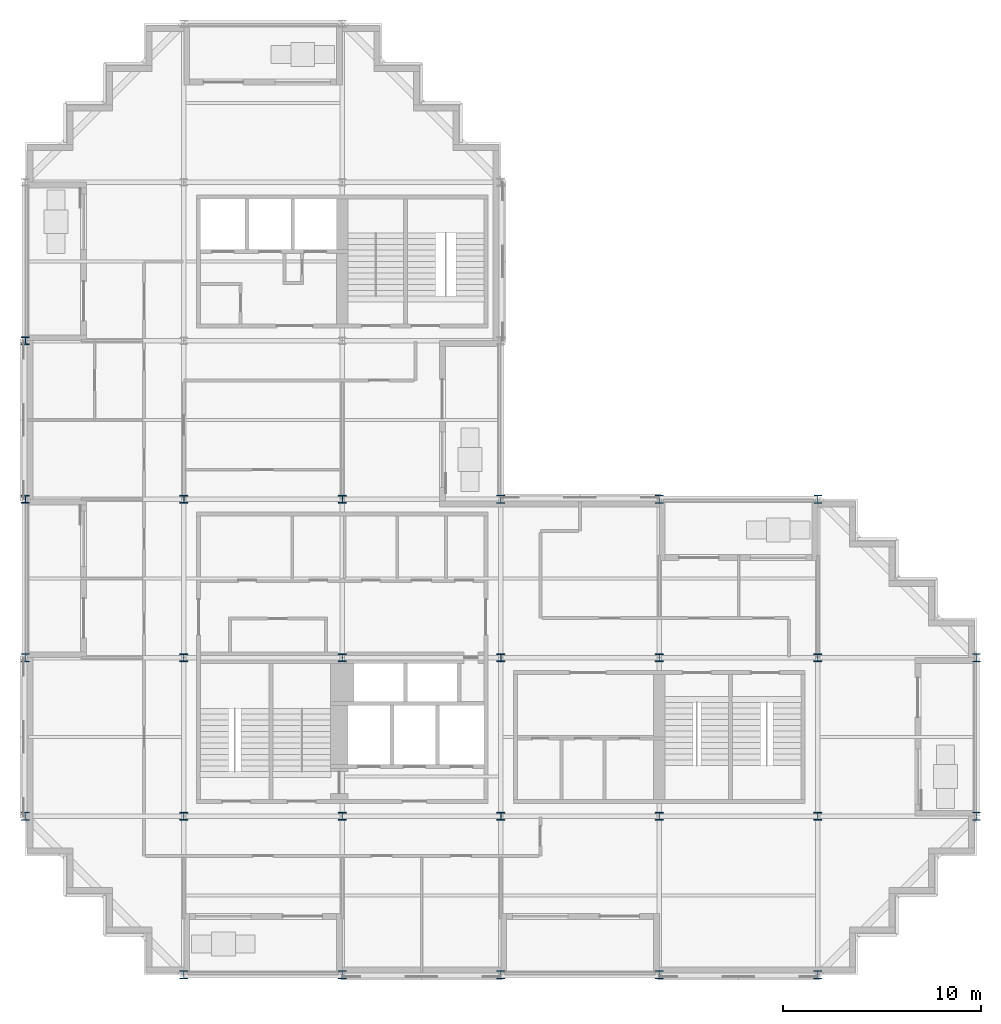
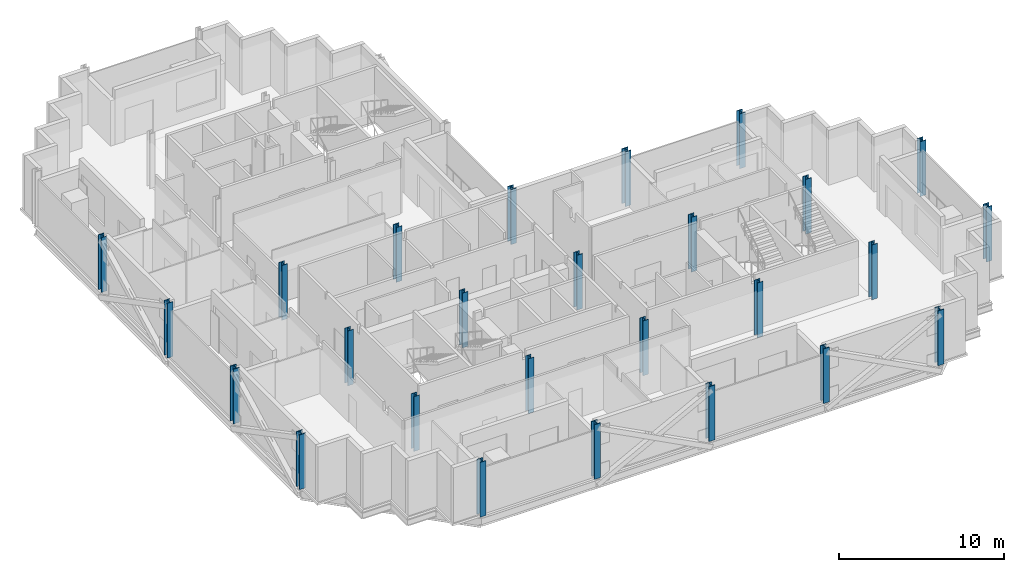
# One storey, part 1 of 12: 26 columns.
"""IFC4 building model written with IfcOpenShell, lengths in metres."""

from ifc_helpers import new_model, si_unit, direction, frame, origin, origin_2d, place, context, subcontext, project, spatial, i_section, extrude, material, material_profile, profile_set, type_object, element, save


model = new_model("IFC4")

# Units and contexts
model_context = context("Model", 3, precision=1e-05, world=origin(), true_north=direction((0.0, 1.0)))
body_context = subcontext(model_context, "Body", "Model", "MODEL_VIEW")
ifc_project = project(units=[si_unit("LENGTHUNIT", "METRE"), si_unit("AREAUNIT", "SQUARE_METRE"), si_unit("VOLUMEUNIT", "CUBIC_METRE"), si_unit("PLANEANGLEUNIT", "RADIAN"), si_unit("MASSUNIT", "GRAM", prefix="KILO")], contexts=[model_context])

# Site, building, storey
site_placement = place(None, origin())
site = spatial("IfcSite", under=ifc_project, at=site_placement, CompositionType="ELEMENT")
building_placement = place(site_placement, origin())
building = spatial("IfcBuilding", under=site, at=building_placement, Name="Immortelle Media Tower", CompositionType="ELEMENT")
storey_placement = place(building_placement, frame((0.0, 0.0, 153.60009765625)))
storey = spatial("IfcBuildingStorey", under=building, at=storey_placement, Name="L31", CompositionType="ELEMENT", Elevation=153.60009765625)

# Columns
ifc_material = material(Name="Steel ASTM A992 Gr 50", Category="steel")
ifc_material_profile_1 = material_profile(ifc_material, i_section(OverallWidth=0.39892578125, OverallDepth=0.385986328125, WebThickness=0.02099609375, FlangeThickness=0.032958984375, at=origin_2d()), Name="W14x176")
ifc_profile_set_1 = profile_set([ifc_material_profile_1], Name="Steel ASTM A992 Gr 50")
column_type_1 = type_object("IfcColumnType", Name="W14x176 column", PredefinedType="COLUMN", material=ifc_profile_set_1)
for number, where, z_axis, x_axis, name in (
    (1, (8.0, 8.0, 0.0), (0.0, 0.0, 1.0), (1.0, 0.0, 0.0), "Column 2/B"),
    (2, (8.0, 16.0, 0.0), (0.0, 0.0, 1.0), (1.0, 0.0, 0.0), "Column 2/C"),
    (3, (16.0, 8.0, 0.0), (0.0, 0.0, 1.0), (1.0, 0.0, 0.0), "Column 3/B"),
    (4, (16.0, 16.0, 0.0), (0.0, 0.0, 1.0), (1.0, 0.0, 0.0), "Column 3/C"),
    (5, (32.0, 8.0, 0.0), (0.0, 0.0, 1.0), (1.0, 0.0, 0.0), "Column 5/B"),
    (6, (32.0, 16.0, 0.0), (0.0, 0.0, 1.0), (1.0, 0.0, 0.0), "Column 5/C"),
    (7, (40.0, 8.0, 0.0), (0.0, 0.0, 1.0), (1.0, 0.0, 0.0), "Column 6/B"),
    (8, (40.0, 16.0, 0.0), (0.0, 0.0, 1.0), (1.0, 0.0, 0.0), "Column 6/C"),
):
    element("IfcColumn", number, at=place(storey_placement, frame(where, z_axis=z_axis, x_axis=x_axis)), inside=storey, type_object=column_type_1, Name=name, PredefinedType="COLUMN", context=body_context, shape_type="SweptSolid", body=[
        extrude(i_section(OverallWidth=0.39892578125, OverallDepth=0.385986328125, WebThickness=0.02099609375, FlangeThickness=0.032958984375, at=origin_2d()), origin(), (0.0, 0.0, 1.0), 4.0498046875),
    ])
ifc_material_profile_2 = material_profile(ifc_material, i_section(OverallWidth=0.40087890625, OverallDepth=0.39892578125, WebThickness=0.02490234375, FlangeThickness=0.0400390625, at=origin_2d()), Name="W14x211")
ifc_profile_set_2 = profile_set([ifc_material_profile_2], Name="Steel ASTM A992 Gr 50")
column_type_2 = type_object("IfcColumnType", Name="W14x211 column", PredefinedType="COLUMN", material=ifc_profile_set_2)
for number, where, z_axis, x_axis, name in (
    (9, (0.0, 24.0, 0.0), (0.0, 0.0, 1.0), (1.0, 0.0, 0.0), "Column 1/D"),
    (10, (0.0, 32.0, 0.0), (0.0, 0.0, 1.0), (1.0, 0.0, 0.0), "Column 1/E"),
    (11, (8.0, 24.0, 0.0), (0.0, 0.0, 1.0), (1.0, 0.0, 0.0), "Column 2/D"),
    (12, (16.0, 24.0, 0.0), (0.0, 0.0, 1.0), (1.0, 0.0, 0.0), "Column 3/D"),
    (13, (24.0, 8.0, 0.0), (0.0, 0.0, 1.0), (1.0, 0.0, 0.0), "Column 4/B"),
    (14, (24.0, 16.0, 0.0), (0.0, 0.0, 1.0), (1.0, 0.0, 0.0), "Column 4/C"),
):
    element("IfcColumn", number, at=place(storey_placement, frame(where, z_axis=z_axis, x_axis=x_axis)), inside=storey, type_object=column_type_2, Name=name, PredefinedType="COLUMN", context=body_context, shape_type="SweptSolid", body=[
        extrude(i_section(OverallWidth=0.40087890625, OverallDepth=0.39892578125, WebThickness=0.02490234375, FlangeThickness=0.0400390625, at=origin_2d()), origin(), (0.0, 0.0, 1.0), 4.0498046875),
    ])
ifc_material_profile_3 = material_profile(ifc_material, i_section(OverallWidth=0.406005859375, OverallDepth=0.4169921875, WebThickness=0.030029296875, FlangeThickness=0.048095703125, at=origin_2d()), Name="W14x257")
ifc_profile_set_3 = profile_set([ifc_material_profile_3], Name="Steel ASTM A992 Gr 50")
column_type_3 = type_object("IfcColumnType", Name="W14x257 column", PredefinedType="COLUMN", material=ifc_profile_set_3)
for number, where, z_axis, x_axis, name in (
    (15, (8.0, 0.0, 0.0), (0.0, 0.0, 1.0), (1.0, 0.0, 0.0), "Column 2/A"),
    (16, (40.0, 24.0, 0.0), (0.0, 0.0, 1.0), (1.0, 0.0, 0.0), "Column 6/D"),
    (17, (48.0, 8.0, 0.0), (0.0, 0.0, 1.0), (1.0, 0.0, 0.0), "Column 7/B"),
    (18, (48.0, 16.0, 0.0), (0.0, 0.0, 1.0), (1.0, 0.0, 0.0), "Column 7/C"),
):
    element("IfcColumn", number, at=place(storey_placement, frame(where, z_axis=z_axis, x_axis=x_axis)), inside=storey, type_object=column_type_3, Name=name, PredefinedType="COLUMN", context=body_context, shape_type="SweptSolid", body=[
        extrude(i_section(OverallWidth=0.406005859375, OverallDepth=0.4169921875, WebThickness=0.030029296875, FlangeThickness=0.048095703125, at=origin_2d()), origin(), (0.0, 0.0, 1.0), 4.0498046875),
    ])
ifc_material_profile_4 = material_profile(ifc_material, i_section(OverallWidth=0.410888671875, OverallDepth=0.43408203125, WebThickness=0.035888671875, FlangeThickness=0.056884765625, at=origin_2d()), Name="W14x311")
ifc_profile_set_4 = profile_set([ifc_material_profile_4], Name="Steel ASTM A992 Gr 50")
column_type_4 = type_object("IfcColumnType", Name="W14x311 column", PredefinedType="COLUMN", material=ifc_profile_set_4)
for number, where, z_axis, x_axis, name in (
    (19, (0.0, 8.0, 0.0), (0.0, 0.0, 1.0), (1.0, 0.0, 0.0), "Column 1/B"),
    (20, (0.0, 16.0, 0.0), (0.0, 0.0, 1.0), (1.0, 0.0, 0.0), "Column 1/C"),
    (21, (16.0, 0.0, 0.0), (0.0, 0.0, 1.0), (1.0, 0.0, 0.0), "Column 3/A"),
    (22, (24.0, 0.0, 0.0), (0.0, 0.0, 1.0), (1.0, 0.0, 0.0), "Column 4/A"),
    (23, (24.0, 24.0, 0.0), (0.0, 0.0, 1.0), (1.0, 0.0, 0.0), "Column 4/D"),
    (24, (32.0, 0.0, 0.0), (0.0, 0.0, 1.0), (1.0, 0.0, 0.0), "Column 5/A"),
    (25, (32.0, 24.0, 0.0), (0.0, 0.0, 1.0), (1.0, 0.0, 0.0), "Column 5/D"),
    (26, (40.0, 0.0, 0.0), (0.0, 0.0, 1.0), (1.0, 0.0, 0.0), "Column 6/A"),
):
    element("IfcColumn", number, at=place(storey_placement, frame(where, z_axis=z_axis, x_axis=x_axis)), inside=storey, type_object=column_type_4, Name=name, PredefinedType="COLUMN", context=body_context, shape_type="SweptSolid", body=[
        extrude(i_section(OverallWidth=0.410888671875, OverallDepth=0.43408203125, WebThickness=0.035888671875, FlangeThickness=0.056884765625, at=origin_2d()), origin(), (0.0, 0.0, 1.0), 4.0498046875),
    ])

save(model, "model.ifc")
